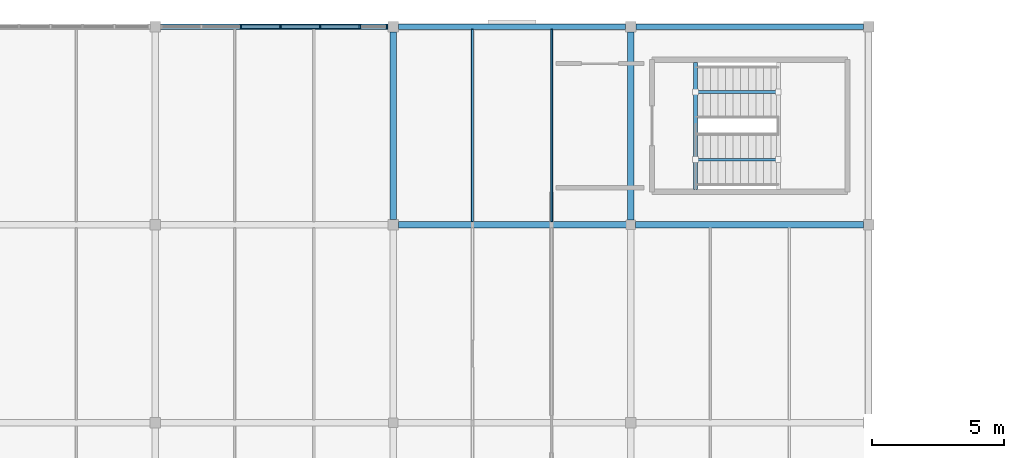
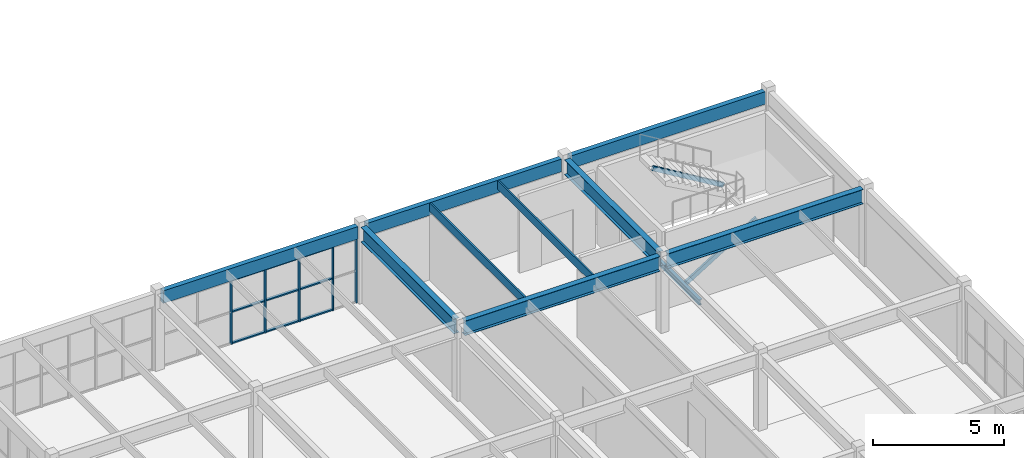
# One storey, part 33 of 81: 16 members, 10 beams, 1 element without a shape of its own.
"""IFC4 building model written with IfcOpenShell, lengths in metres."""

from ifc_helpers import new_model, si_unit, direction, frame, origin, origin_2d, place, context, subcontext, project, spatial, rectangle, hollow_rectangle, i_section, extrude, material, layer, layer_set, material_profile, profile_set, type_object, element, aggregate, save


model = new_model("IFC4")

# Units and contexts
model_context = context("Model", 3, precision=1e-05, world=origin(), true_north=direction((0.0, 1.0)))
body_context = subcontext(model_context, "Body", "Model", "MODEL_VIEW")
ifc_project = project(units=[si_unit("LENGTHUNIT", "METRE"), si_unit("AREAUNIT", "SQUARE_METRE"), si_unit("VOLUMEUNIT", "CUBIC_METRE"), si_unit("PLANEANGLEUNIT", "RADIAN"), si_unit("MASSUNIT", "GRAM", prefix="KILO")], contexts=[model_context])

# Site, building, storey
site_placement = place(None, origin())
site = spatial("IfcSite", under=ifc_project, at=site_placement, CompositionType="ELEMENT")
building_placement = place(site_placement, origin())
building = spatial("IfcBuilding", under=site, at=building_placement, Name="Marnridge Secondary College", CompositionType="ELEMENT")
storey_placement = place(building_placement, frame((0.0, 0.0, 8.5)))
storey = spatial("IfcBuildingStorey", under=building, at=storey_placement, Name="L02", CompositionType="ELEMENT", Elevation=8.5)

# Beams
ifc_material_1 = material(Name="Glulam timber GL18", Category="wood")
ifc_material_profile_1 = material_profile(ifc_material_1, rectangle(XDim=0.215087890625, YDim=0.5849609375, at=origin_2d()), Name="GL18 215x585")
ifc_profile_set_1 = profile_set([ifc_material_profile_1], Name="Glulam timber GL18")
beam_type_1 = type_object("IfcBeamType", Name="BM-GL585-EXT", PredefinedType="SPANDREL", material=ifc_profile_set_1)
for number, where, z_axis, x_axis, name in (
    (1, (9.194091796875, 120.0, 3.28759765625), (1.0, 0.0, 0.0), (0.0, 1.0, 0.0), "Beam BS-L02-0877"),
    (2, (18.194091796875, 120.0, 3.28759765625), (1.0, 0.0, 0.0), (0.0, 1.0, 0.0), "Beam BS-L02-0886"),
    (3, (27.194091796875, 120.0, 3.28759765625), (1.0, 0.0, 0.0), (0.0, 1.0, 0.0), "Beam BS-L02-0895"),
):
    element("IfcBeam", number, at=place(storey_placement, frame(where, z_axis=z_axis, x_axis=x_axis)), inside=storey, type_object=beam_type_1, Name=name, PredefinedType="SPANDREL", context=body_context, shape_type="SweptSolid", body=[
        extrude(rectangle(XDim=0.215087890625, YDim=0.5849609375, at=origin_2d()), origin(), (0.0, 0.0, 1.0), 8.61181640625),
    ])
ifc_material_2 = material(Name="Engineered timber LVL E13.2", Category="wood")
ifc_material_profile_2 = material_profile(ifc_material_2, rectangle(XDim=0.074951171875, YDim=0.39990234375, at=origin_2d()), Name="LVL 75x400")
ifc_profile_set_2 = profile_set([ifc_material_profile_2], Name="Engineered timber LVL E13.2")
beam_type_2 = type_object("IfcBeamType", Name="BM-LVL400-INT", PredefinedType="JOIST", material=ifc_profile_set_2)
for number, where, z_axis, x_axis, name in (
    (4, (21.0, 112.618896484375, 3.3798828125), (0.0, 1.0, 0.0), (-1.0, 0.0, 0.0), "Beam BJ-L02-0925"),
    (5, (24.0, 112.618896484375, 3.3798828125), (0.0, 1.0, 0.0), (-1.0, 0.0, 0.0), "Beam BJ-L02-0926"),
):
    element("IfcBeam", number, at=place(storey_placement, frame(where, z_axis=z_axis, x_axis=x_axis)), inside=storey, type_object=beam_type_2, Name=name, PredefinedType="JOIST", context=body_context, shape_type="SweptSolid", body=[
        extrude(rectangle(XDim=0.074951171875, YDim=0.39990234375, at=origin_2d()), origin(), (0.0, 0.0, 1.0), 7.279541015625),
    ])
ifc_material_3 = material(Name="Structural steel Grade 350 (AS/NZS 3679.1/.2, fy = 340-360 MPa)", Category="steel")
ifc_material_profile_3 = material_profile(ifc_material_3, i_section(OverallWidth=0.146240234375, OverallDepth=0.256103515625, WebThickness=0.00634765625, FlangeThickness=0.010986328125, FilletRadius=0.0087890625, at=origin_2d()), Name="250UB37.3")
ifc_profile_set_3 = profile_set([ifc_material_profile_3], Name="Structural steel Grade 350 (AS/NZS 3679.1/.2, fy = 340-360 MPa)")
beam_type_3 = type_object("IfcBeamType", Name="BM-UB250-EXT", PredefinedType="LINTEL", material=ifc_profile_set_3)
beam_1_placement = place(storey_placement, frame((29.449951171875, 113.842041015625, -0.3681640625), z_axis=(0.0, 1.0, 0.0), x_axis=(-1.0, 0.0, 0.0)))
element("IfcBeam", 6, at=beam_1_placement, inside=storey, type_object=beam_type_3, Name="Stair landing trimmer beam BT-L02-046", PredefinedType="LINTEL", context=body_context, shape_type="SweptSolid", body=[
    extrude(i_section(OverallWidth=0.146240234375, OverallDepth=0.256103515625, WebThickness=0.00634765625, FlangeThickness=0.010986328125, FilletRadius=0.0087890625, at=origin_2d()), origin(), (0.0, 0.0, 1.0), 4.802978515625),
])
ifc_material_4 = material(Name="Structural steel Grade 350 (AS/NZS 3679.1/.2, fy = 340-360 MPa)", Category="steel")
ifc_material_profile_4 = material_profile(ifc_material_4, i_section(OverallWidth=0.25, OverallDepth=0.69189453125, WebThickness=0.009033203125, FlangeThickness=0.01611328125, at=origin_2d()), Name="700WB115")
ifc_profile_set_4 = profile_set([ifc_material_profile_4], Name="Structural steel Grade 350 (AS/NZS 3679.1/.2, fy = 340-360 MPa)")
beam_type_4 = type_object("IfcBeamType", Name="BM-WB700-INT", PredefinedType="BEAM", material=ifc_profile_set_4)
beam_2_placement = place(storey_placement, frame((18.0, 112.694091796875, 3.23388671875), z_axis=(0.0, 1.0, 0.0), x_axis=(-1.0, 0.0, 0.0)))
element("IfcBeam", 7, at=beam_2_placement, inside=storey, type_object=beam_type_4, Name="Beam B-L02-0878", PredefinedType="BEAM", context=body_context, shape_type="SweptSolid", body=[
    extrude(i_section(OverallWidth=0.25, OverallDepth=0.69189453125, WebThickness=0.009033203125, FlangeThickness=0.01611328125, at=origin_2d()), origin(), (0.0, 0.0, 1.0), 7.11181640625),
])
beam_3_placement = place(storey_placement, frame((18.194091796875, 112.5, 3.23388671875), z_axis=(1.0, 0.0, 0.0), x_axis=(0.0, 1.0, 0.0)))
element("IfcBeam", 8, at=beam_3_placement, inside=storey, type_object=beam_type_4, Name="Beam B-L02-0884", PredefinedType="BEAM", context=body_context, shape_type="SweptSolid", body=[
    extrude(i_section(OverallWidth=0.25, OverallDepth=0.69189453125, WebThickness=0.009033203125, FlangeThickness=0.01611328125, at=origin_2d()), origin(), (0.0, 0.0, 1.0), 8.6318359375),
])
beam_4_placement = place(storey_placement, frame((27.0, 112.674072265625, 3.23388671875), z_axis=(0.0, 1.0, 0.0), x_axis=(-1.0, 0.0, 0.0)))
element("IfcBeam", 9, at=beam_4_placement, inside=storey, type_object=beam_type_4, Name="Beam B-L02-0887", PredefinedType="BEAM", context=body_context, shape_type="SweptSolid", body=[
    extrude(i_section(OverallWidth=0.25, OverallDepth=0.69189453125, WebThickness=0.009033203125, FlangeThickness=0.01611328125, at=origin_2d()), origin(), (0.0, 0.0, 1.0), 7.1318359375),
])
beam_5_placement = place(storey_placement, frame((27.174072265625, 112.5, 3.23388671875), z_axis=(1.0, 0.0, 0.0), x_axis=(0.0, 1.0, 0.0)))
element("IfcBeam", 10, at=beam_5_placement, inside=storey, type_object=beam_type_4, Name="Beam B-L02-0893", PredefinedType="BEAM", context=body_context, shape_type="SweptSolid", body=[
    extrude(i_section(OverallWidth=0.25, OverallDepth=0.69189453125, WebThickness=0.009033203125, FlangeThickness=0.01611328125, at=origin_2d()), origin(), (0.0, 0.0, 1.0), 8.6318359375),
])

# Curtain wall, members
ifc_material_5 = material(Name="Thermally broken aluminium and low-E glazing", Category="aluminium")
ifc_layer = layer(ifc_material_5, 0.159912109375)
ifc_layer_set = layer_set([ifc_layer], Name="CW-MOD-1500")
curtain_wall_type = type_object("IfcCurtainWallType", Name="CW-MOD-1500", PredefinedType="NOTDEFINED", material=ifc_layer_set)
curtain_wall_placement = place(storey_placement, origin())
curtain_wall = element("IfcCurtainWall", 11, at=curtain_wall_placement, inside=storey, type_object=curtain_wall_type, Name="Unitised curtain wall CW-L02-088", PredefinedType="NOTDEFINED")
ifc_material_6 = material(Name="Anodised aluminium 6063-T6", Category="aluminium")
ifc_material_profile_5 = material_profile(ifc_material_6, rectangle(XDim=0.06005859375, YDim=0.159912109375, at=origin_2d()), Name="ALU 60x160")
ifc_profile_set_5 = profile_set([ifc_material_profile_5], Name="Anodised aluminium 6063-T6")
member_type_1 = type_object("IfcMemberType", Name="CWM-ALU160", PredefinedType="MULLION", material=ifc_profile_set_5)
member_1_placement = place(storey_placement, frame((12.23388671875, 120.0, 0.0), z_axis=(0.0, 0.0, 1.0), x_axis=(1.0, 0.0, 0.0)))
member_1 = element("IfcMember", 12, at=member_1_placement, type_object=member_type_1, Name="CW-L02-088 mullion 3", PredefinedType="MULLION", context=body_context, shape_type="SweptSolid", body=[
    extrude(rectangle(XDim=0.06005859375, YDim=0.159912109375, at=origin_2d()), origin(), (0.0, 0.0, 1.0), 2.987060546875),
])
member_2_placement = place(storey_placement, frame((13.73388671875, 120.0, 0.0), z_axis=(0.0, 0.0, 1.0), x_axis=(1.0, 0.0, 0.0)))
member_2 = element("IfcMember", 13, at=member_2_placement, type_object=member_type_1, Name="CW-L02-088 mullion 4", PredefinedType="MULLION", context=body_context, shape_type="SweptSolid", body=[
    extrude(rectangle(XDim=0.06005859375, YDim=0.159912109375, at=origin_2d()), origin(), (0.0, 0.0, 1.0), 2.987060546875),
])
member_3_placement = place(storey_placement, frame((15.23388671875, 120.0, 0.0), z_axis=(0.0, 0.0, 1.0), x_axis=(1.0, 0.0, 0.0)))
member_3 = element("IfcMember", 14, at=member_3_placement, type_object=member_type_1, Name="CW-L02-088 mullion 5", PredefinedType="MULLION", context=body_context, shape_type="SweptSolid", body=[
    extrude(rectangle(XDim=0.06005859375, YDim=0.159912109375, at=origin_2d()), origin(), (0.0, 0.0, 1.0), 2.987060546875),
])
member_4_placement = place(storey_placement, frame((16.73388671875, 120.0, 0.0), z_axis=(0.0, 0.0, 1.0), x_axis=(1.0, 0.0, 0.0)))
member_4 = element("IfcMember", 15, at=member_4_placement, type_object=member_type_1, Name="CW-L02-088 mullion 6", PredefinedType="MULLION", context=body_context, shape_type="SweptSolid", body=[
    extrude(rectangle(XDim=0.06005859375, YDim=0.159912109375, at=origin_2d()), origin(), (0.0, 0.0, 1.0), 2.987060546875),
])
member_5_placement = place(storey_placement, frame((17.76611328125, 120.0, 0.0), z_axis=(0.0, 0.0, 1.0), x_axis=(1.0, 0.0, 0.0)))
member_5 = element("IfcMember", 16, at=member_5_placement, type_object=member_type_1, Name="CW-L02-088 mullion 7", PredefinedType="MULLION", context=body_context, shape_type="SweptSolid", body=[
    extrude(rectangle(XDim=0.06005859375, YDim=0.159912109375, at=origin_2d()), origin(), (0.0, 0.0, 1.0), 2.987060546875),
])
ifc_material_7 = material(Name="Anodised aluminium 6063-T6", Category="aluminium")
ifc_material_profile_6 = material_profile(ifc_material_7, rectangle(XDim=0.06005859375, YDim=0.1201171875, at=origin_2d()), Name="ALU 60x120")
ifc_profile_set_6 = profile_set([ifc_material_profile_6], Name="Anodised aluminium 6063-T6")
member_type_2 = type_object("IfcMemberType", Name="CWT-ALU120", PredefinedType="USERDEFINED", material=ifc_profile_set_6)
member_6_placement = place(storey_placement, frame((12.263916015625, 120.0, 0.030029296875), z_axis=(1.0, 0.0, 0.0), x_axis=(0.0, 0.0, 1.0)))
member_6 = element("IfcMember", 17, at=member_6_placement, type_object=member_type_2, Name="CW-L02-088 transom 3.1", ObjectType="TRANSOM", PredefinedType="USERDEFINED", context=body_context, shape_type="SweptSolid", body=[
    extrude(rectangle(XDim=0.06005859375, YDim=0.1201171875, at=origin_2d()), origin(), (0.0, 0.0, 1.0), 1.440185546875),
])
member_7_placement = place(storey_placement, frame((12.263916015625, 120.0, 1.493896484375), z_axis=(1.0, 0.0, 0.0), x_axis=(0.0, 0.0, 1.0)))
member_7 = element("IfcMember", 18, at=member_7_placement, type_object=member_type_2, Name="CW-L02-088 transom 3.2", ObjectType="TRANSOM", PredefinedType="USERDEFINED", context=body_context, shape_type="SweptSolid", body=[
    extrude(rectangle(XDim=0.06005859375, YDim=0.1201171875, at=origin_2d()), origin(), (0.0, 0.0, 1.0), 1.440185546875),
])
member_8_placement = place(storey_placement, frame((12.263916015625, 120.0, 2.95703125), z_axis=(1.0, 0.0, 0.0), x_axis=(0.0, 0.0, 1.0)))
member_8 = element("IfcMember", 19, at=member_8_placement, type_object=member_type_2, Name="CW-L02-088 transom 3.3", ObjectType="TRANSOM", PredefinedType="USERDEFINED", context=body_context, shape_type="SweptSolid", body=[
    extrude(rectangle(XDim=0.06005859375, YDim=0.1201171875, at=origin_2d()), origin(), (0.0, 0.0, 1.0), 1.440185546875),
])
member_9_placement = place(storey_placement, frame((13.763916015625, 120.0, 0.030029296875), z_axis=(1.0, 0.0, 0.0), x_axis=(0.0, 0.0, 1.0)))
member_9 = element("IfcMember", 20, at=member_9_placement, type_object=member_type_2, Name="CW-L02-088 transom 4.1", ObjectType="TRANSOM", PredefinedType="USERDEFINED", context=body_context, shape_type="SweptSolid", body=[
    extrude(rectangle(XDim=0.06005859375, YDim=0.1201171875, at=origin_2d()), origin(), (0.0, 0.0, 1.0), 1.440185546875),
])
member_10_placement = place(storey_placement, frame((13.763916015625, 120.0, 1.493896484375), z_axis=(1.0, 0.0, 0.0), x_axis=(0.0, 0.0, 1.0)))
member_10 = element("IfcMember", 21, at=member_10_placement, type_object=member_type_2, Name="CW-L02-088 transom 4.2", ObjectType="TRANSOM", PredefinedType="USERDEFINED", context=body_context, shape_type="SweptSolid", body=[
    extrude(rectangle(XDim=0.06005859375, YDim=0.1201171875, at=origin_2d()), origin(), (0.0, 0.0, 1.0), 1.440185546875),
])
member_11_placement = place(storey_placement, frame((13.763916015625, 120.0, 2.95703125), z_axis=(1.0, 0.0, 0.0), x_axis=(0.0, 0.0, 1.0)))
member_11 = element("IfcMember", 22, at=member_11_placement, type_object=member_type_2, Name="CW-L02-088 transom 4.3", ObjectType="TRANSOM", PredefinedType="USERDEFINED", context=body_context, shape_type="SweptSolid", body=[
    extrude(rectangle(XDim=0.06005859375, YDim=0.1201171875, at=origin_2d()), origin(), (0.0, 0.0, 1.0), 1.440185546875),
])
member_12_placement = place(storey_placement, frame((15.263916015625, 120.0, 0.030029296875), z_axis=(1.0, 0.0, 0.0), x_axis=(0.0, 0.0, 1.0)))
member_12 = element("IfcMember", 23, at=member_12_placement, type_object=member_type_2, Name="CW-L02-088 transom 5.1", ObjectType="TRANSOM", PredefinedType="USERDEFINED", context=body_context, shape_type="SweptSolid", body=[
    extrude(rectangle(XDim=0.06005859375, YDim=0.1201171875, at=origin_2d()), origin(), (0.0, 0.0, 1.0), 1.440185546875),
])
member_13_placement = place(storey_placement, frame((15.263916015625, 120.0, 1.493896484375), z_axis=(1.0, 0.0, 0.0), x_axis=(0.0, 0.0, 1.0)))
member_13 = element("IfcMember", 24, at=member_13_placement, type_object=member_type_2, Name="CW-L02-088 transom 5.2", ObjectType="TRANSOM", PredefinedType="USERDEFINED", context=body_context, shape_type="SweptSolid", body=[
    extrude(rectangle(XDim=0.06005859375, YDim=0.1201171875, at=origin_2d()), origin(), (0.0, 0.0, 1.0), 1.440185546875),
])
member_14_placement = place(storey_placement, frame((15.263916015625, 120.0, 2.95703125), z_axis=(1.0, 0.0, 0.0), x_axis=(0.0, 0.0, 1.0)))
member_14 = element("IfcMember", 25, at=member_14_placement, type_object=member_type_2, Name="CW-L02-088 transom 5.3", ObjectType="TRANSOM", PredefinedType="USERDEFINED", context=body_context, shape_type="SweptSolid", body=[
    extrude(rectangle(XDim=0.06005859375, YDim=0.1201171875, at=origin_2d()), origin(), (0.0, 0.0, 1.0), 1.440185546875),
])
aggregate(curtain_wall, [member_1, member_2, member_3, member_4, member_5, member_6, member_7, member_8, member_9, member_10, member_11, member_12, member_13, member_14])

# Members
ifc_material_8 = material(Name="Cold-formed steel Grade C350L0 (AS/NZS 1163, fy = 350 MPa)", Category="steel")
ifc_material_profile_7 = material_profile(ifc_material_8, hollow_rectangle(XDim=0.10009765625, YDim=0.199951171875, WallThickness=0.006103515625, at=origin_2d()), Name="200x100x6.0RHS")
ifc_profile_set_7 = profile_set([ifc_material_profile_7], Name="Cold-formed steel Grade C350L0 (AS/NZS 1163, fy = 350 MPa)")
member_type_3 = type_object("IfcMemberType", Name="MB-STR-RHS200", PredefinedType="STRINGER", material=ifc_profile_set_7)
member_15_placement = place(storey_placement, frame((29.449951171875, 114.969970703125, -0.14794921875), z_axis=(0.850359689631, 0.0, 0.526201860744), x_axis=(0.0, 1.0, 0.0)))
element("IfcMember", 26, at=member_15_placement, inside=storey, type_object=member_type_3, Name="Stair stringer STR-047", PredefinedType="STRINGER", context=body_context, shape_type="SweptSolid", body=[
    extrude(hollow_rectangle(XDim=0.10009765625, YDim=0.199951171875, WallThickness=0.006103515625, at=origin_2d()), origin(), (0.0, 0.0, 1.0), 3.686767578125),
])
member_16_placement = place(storey_placement, frame((32.5849609375, 117.530029296875, 1.7919921875), z_axis=(-0.857598979365, 0.0, 0.514318958032), x_axis=(0.0, -1.0, 0.0)))
element("IfcMember", 27, at=member_16_placement, inside=storey, type_object=member_type_3, Name="Stair stringer STR-048", PredefinedType="STRINGER", context=body_context, shape_type="SweptSolid", body=[
    extrude(hollow_rectangle(XDim=0.10009765625, YDim=0.199951171875, WallThickness=0.006103515625, at=origin_2d()), origin(), (0.0, 0.0, 1.0), 3.655517578125),
])

save(model, "model.ifc")
